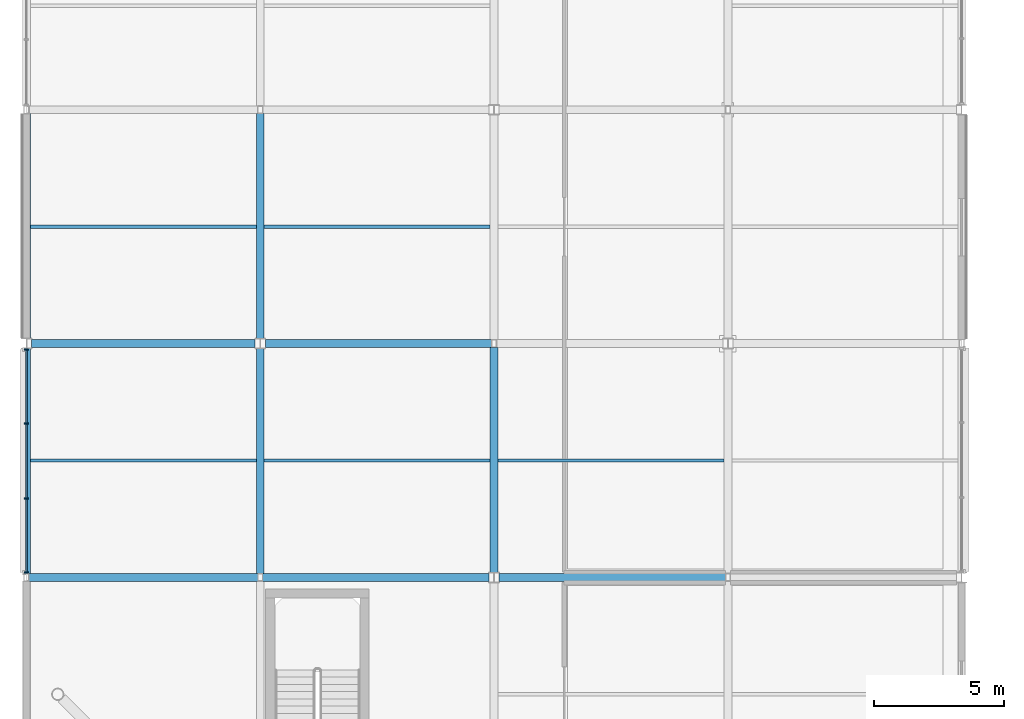
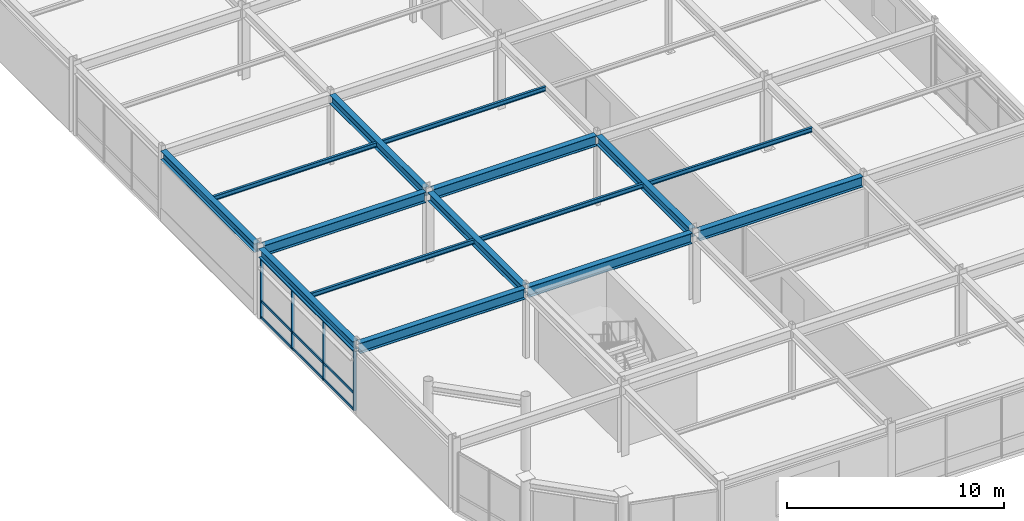
# One storey, part 23 of 105: 15 beams, 13 members, 1 element without a shape of its own.
"""IFC4 building model written with IfcOpenShell, lengths in metres."""

from ifc_helpers import new_model, si_unit, direction, frame, origin, origin_2d, place, context, subcontext, project, spatial, rectangle, i_section, extrude, material, material_profile, profile_set, type_object, element, aggregate, save


model = new_model("IFC4")

# Units and contexts
model_context = context("Model", 3, precision=1e-05, world=origin(), true_north=direction((0.0, 1.0)))
body_context = subcontext(model_context, "Body", "Model", "MODEL_VIEW")
ifc_project = project(units=[si_unit("LENGTHUNIT", "METRE"), si_unit("AREAUNIT", "SQUARE_METRE"), si_unit("VOLUMEUNIT", "CUBIC_METRE"), si_unit("PLANEANGLEUNIT", "RADIAN"), si_unit("MASSUNIT", "GRAM", prefix="KILO")], contexts=[model_context])

# Site, building, storey
site_placement = place(None, origin())
site = spatial("IfcSite", under=ifc_project, at=site_placement, CompositionType="ELEMENT")
building_placement = place(site_placement, origin())
building = spatial("IfcBuilding", under=site, at=building_placement, Name="Suzunagisa Mobility Hub", CompositionType="ELEMENT")
storey_placement = place(building_placement, frame((0.0, 0.0, 5.10009765625)))
storey = spatial("IfcBuildingStorey", under=building, at=storey_placement, Name="L01", CompositionType="ELEMENT", Elevation=5.10009765625)

# Curtain wall, members
ifc_material_1 = material(Name="Thermally Broken Anodized Aluminum and Low-E Glazing", Category="aluminium")
curtain_wall_type = type_object("IfcCurtainWallType", Name="Unitised Curtain Wall CW-45 8750x3400", PredefinedType="USERDEFINED", material=ifc_material_1)
curtain_wall_placement = place(storey_placement, origin())
curtain_wall = element("IfcCurtainWall", 1, at=curtain_wall_placement, inside=storey, type_object=curtain_wall_type, Name="L01 Unitised Curtain Wall CW-21", ObjectType="UNITISED CURTAIN WALL", PredefinedType="USERDEFINED")
ifc_material_2 = material(Name="Anodized Aluminum 6063-T6", Category="aluminium")
ifc_material_profile_1 = material_profile(ifc_material_2, rectangle(XDim=0.06494140625, YDim=0.139892578125, at=origin_2d()), Name="TRAN-65x140")
ifc_profile_set_1 = profile_set([ifc_material_profile_1], Name="Anodized Aluminum 6063-T6")
member_type_1 = type_object("IfcMemberType", Name="Curtain Wall Framing CM-01 TRAN-65x140", PredefinedType="USERDEFINED", material=ifc_profile_set_1)
member_1_placement = place(storey_placement, frame((0.0, 26.741943359375, 0.032470703125), z_axis=(0.0, -1.0, 0.0), x_axis=(1.0, 0.0, 0.0)))
member_1 = element("IfcMember", 2, at=member_1_placement, type_object=member_type_1, Name="Curtain Wall Transom 21-T1.1", ObjectType="TRANSOM", PredefinedType="USERDEFINED", context=body_context, shape_type="SweptSolid", body=[
    extrude(rectangle(XDim=0.06494140625, YDim=0.139892578125, at=origin_2d()), origin(), (0.0, 0.0, 1.0), 2.79736328125),
])
member_2_placement = place(storey_placement, frame((0.0, 26.741943359375, 0.949951171875), z_axis=(0.0, -1.0, 0.0), x_axis=(1.0, 0.0, 0.0)))
member_2 = element("IfcMember", 3, at=member_2_placement, type_object=member_type_1, Name="Curtain Wall Transom 21-T1.2", ObjectType="TRANSOM", PredefinedType="USERDEFINED", context=body_context, shape_type="SweptSolid", body=[
    extrude(rectangle(XDim=0.06494140625, YDim=0.139892578125, at=origin_2d()), origin(), (0.0, 0.0, 1.0), 2.79736328125),
])
member_3_placement = place(storey_placement, frame((0.0, 26.741943359375, 3.3193359375), z_axis=(0.0, -1.0, 0.0), x_axis=(1.0, 0.0, 0.0)))
member_3 = element("IfcMember", 4, at=member_3_placement, type_object=member_type_1, Name="Curtain Wall Transom 21-T1.3", ObjectType="TRANSOM", PredefinedType="USERDEFINED", context=body_context, shape_type="SweptSolid", body=[
    extrude(rectangle(XDim=0.06494140625, YDim=0.139892578125, at=origin_2d()), origin(), (0.0, 0.0, 1.0), 2.79736328125),
])
member_4_placement = place(storey_placement, frame((0.0, 23.888671875, 0.032470703125), z_axis=(0.0, -1.0, 0.0), x_axis=(1.0, 0.0, 0.0)))
member_4 = element("IfcMember", 5, at=member_4_placement, type_object=member_type_1, Name="Curtain Wall Transom 21-T2.1", ObjectType="TRANSOM", PredefinedType="USERDEFINED", context=body_context, shape_type="SweptSolid", body=[
    extrude(rectangle(XDim=0.06494140625, YDim=0.139892578125, at=origin_2d()), origin(), (0.0, 0.0, 1.0), 2.827392578125),
])
member_5_placement = place(storey_placement, frame((0.0, 23.888671875, 0.949951171875), z_axis=(0.0, -1.0, 0.0), x_axis=(1.0, 0.0, 0.0)))
member_5 = element("IfcMember", 6, at=member_5_placement, type_object=member_type_1, Name="Curtain Wall Transom 21-T2.2", ObjectType="TRANSOM", PredefinedType="USERDEFINED", context=body_context, shape_type="SweptSolid", body=[
    extrude(rectangle(XDim=0.06494140625, YDim=0.139892578125, at=origin_2d()), origin(), (0.0, 0.0, 1.0), 2.827392578125),
])
member_6_placement = place(storey_placement, frame((0.0, 23.888671875, 3.3193359375), z_axis=(0.0, -1.0, 0.0), x_axis=(1.0, 0.0, 0.0)))
member_6 = element("IfcMember", 7, at=member_6_placement, type_object=member_type_1, Name="Curtain Wall Transom 21-T2.3", ObjectType="TRANSOM", PredefinedType="USERDEFINED", context=body_context, shape_type="SweptSolid", body=[
    extrude(rectangle(XDim=0.06494140625, YDim=0.139892578125, at=origin_2d()), origin(), (0.0, 0.0, 1.0), 2.827392578125),
])
member_7_placement = place(storey_placement, frame((0.0, 21.00537109375, 0.032470703125), z_axis=(0.0, -1.0, 0.0), x_axis=(1.0, 0.0, 0.0)))
member_7 = element("IfcMember", 8, at=member_7_placement, type_object=member_type_1, Name="Curtain Wall Transom 21-T3.1", ObjectType="TRANSOM", PredefinedType="USERDEFINED", context=body_context, shape_type="SweptSolid", body=[
    extrude(rectangle(XDim=0.06494140625, YDim=0.139892578125, at=origin_2d()), origin(), (0.0, 0.0, 1.0), 2.79736328125),
])
member_8_placement = place(storey_placement, frame((0.0, 21.00537109375, 0.949951171875), z_axis=(0.0, -1.0, 0.0), x_axis=(1.0, 0.0, 0.0)))
member_8 = element("IfcMember", 9, at=member_8_placement, type_object=member_type_1, Name="Curtain Wall Transom 21-T3.2", ObjectType="TRANSOM", PredefinedType="USERDEFINED", context=body_context, shape_type="SweptSolid", body=[
    extrude(rectangle(XDim=0.06494140625, YDim=0.139892578125, at=origin_2d()), origin(), (0.0, 0.0, 1.0), 2.79736328125),
])
member_9_placement = place(storey_placement, frame((0.0, 21.00537109375, 3.3193359375), z_axis=(0.0, -1.0, 0.0), x_axis=(1.0, 0.0, 0.0)))
member_9 = element("IfcMember", 10, at=member_9_placement, type_object=member_type_1, Name="Curtain Wall Transom 21-T3.3", ObjectType="TRANSOM", PredefinedType="USERDEFINED", context=body_context, shape_type="SweptSolid", body=[
    extrude(rectangle(XDim=0.06494140625, YDim=0.139892578125, at=origin_2d()), origin(), (0.0, 0.0, 1.0), 2.79736328125),
])
ifc_material_profile_2 = material_profile(ifc_material_2, rectangle(XDim=0.06005859375, YDim=0.14990234375, at=origin_2d()), Name="MULL-60x150")
ifc_profile_set_2 = profile_set([ifc_material_profile_2], Name="Anodized Aluminum 6063-T6")
member_type_2 = type_object("IfcMemberType", Name="Curtain Wall Framing CM-03 MULL-60x150", PredefinedType="MULLION", material=ifc_profile_set_2)
member_10_placement = place(storey_placement, frame((0.0, 26.77001953125, 0.0), z_axis=(0.0, 0.0, 1.0), x_axis=(0.0, -1.0, 0.0)))
member_10 = element("IfcMember", 11, at=member_10_placement, type_object=member_type_2, Name="Curtain Wall Mullion 21-M1", PredefinedType="MULLION", context=body_context, shape_type="SweptSolid", body=[
    extrude(rectangle(XDim=0.06005859375, YDim=0.14990234375, at=origin_2d()), origin(), (0.0, 0.0, 1.0), 3.351806640625),
])
member_11_placement = place(storey_placement, frame((0.0, 23.916748046875, 0.0), z_axis=(0.0, 0.0, 1.0), x_axis=(0.0, -1.0, 0.0)))
member_11 = element("IfcMember", 12, at=member_11_placement, type_object=member_type_2, Name="Curtain Wall Mullion 21-M2", PredefinedType="MULLION", context=body_context, shape_type="SweptSolid", body=[
    extrude(rectangle(XDim=0.06005859375, YDim=0.14990234375, at=origin_2d()), origin(), (0.0, 0.0, 1.0), 3.351806640625),
])
member_12_placement = place(storey_placement, frame((0.0, 21.033203125, 0.0), z_axis=(0.0, 0.0, 1.0), x_axis=(0.0, -1.0, 0.0)))
member_12 = element("IfcMember", 13, at=member_12_placement, type_object=member_type_2, Name="Curtain Wall Mullion 21-M3", PredefinedType="MULLION", context=body_context, shape_type="SweptSolid", body=[
    extrude(rectangle(XDim=0.06005859375, YDim=0.14990234375, at=origin_2d()), origin(), (0.0, 0.0, 1.0), 3.351806640625),
])
member_13_placement = place(storey_placement, frame((0.0, 18.179931640625, 0.0), z_axis=(0.0, 0.0, 1.0), x_axis=(0.0, -1.0, 0.0)))
member_13 = element("IfcMember", 14, at=member_13_placement, type_object=member_type_2, Name="Curtain Wall Mullion 21-M4", PredefinedType="MULLION", context=body_context, shape_type="SweptSolid", body=[
    extrude(rectangle(XDim=0.06005859375, YDim=0.14990234375, at=origin_2d()), origin(), (0.0, 0.0, 1.0), 3.351806640625),
])
aggregate(curtain_wall, [member_10, member_11, member_12, member_13, member_1, member_2, member_3, member_4, member_5, member_6, member_7, member_8, member_9])

# Beams
ifc_material_3 = material(Name="Steel SN490B", Category="steel")
ifc_material_profile_3 = material_profile(ifc_material_3, i_section(OverallWidth=0.300048828125, OverallDepth=0.488037109375, WebThickness=0.010986328125, FlangeThickness=0.01806640625, FilletRadius=0.012939453125, at=origin_2d()), Name="H-488x300x11x18")
ifc_profile_set_3 = profile_set([ifc_material_profile_3], Name="Steel SN490B")
beam_type_1 = type_object("IfcBeamType", Name="Steel Beam BM-06 H-488x300x11x18", PredefinedType="BEAM", material=ifc_profile_set_3)
for number, where, z_axis, x_axis, name in (
    (15, (0.0, 18.14599609375, 3.69580078125), (0.0, 1.0, 0.0), (-1.0, 0.0, 0.0), "L01 Primary Girder GY-208"),
    (16, (0.0, 27.196044921875, 3.7158203125), (0.0, 1.0, 0.0), (-1.0, 0.0, 0.0), "L01 Primary Girder GY-209"),
    (17, (9.0, 18.14599609375, 3.7158203125), (0.0, 1.0, 0.0), (-1.0, 0.0, 0.0), "L01 Primary Girder GY-214"),
    (18, (9.0, 27.196044921875, 3.7158203125), (0.0, 1.0, 0.0), (-1.0, 0.0, 0.0), "L01 Primary Girder GY-215"),
    (19, (18.0, 18.196044921875, 3.7158203125), (0.0, 1.0, 0.0), (-1.0, 0.0, 0.0), "L01 Primary Girder GY-220"),
):
    element("IfcBeam", number, at=place(storey_placement, frame(where, z_axis=z_axis, x_axis=x_axis)), inside=storey, type_object=beam_type_1, Name=name, PredefinedType="BEAM", context=body_context, shape_type="SweptSolid", body=[
        extrude(i_section(OverallWidth=0.300048828125, OverallDepth=0.488037109375, WebThickness=0.010986328125, FlangeThickness=0.01806640625, FilletRadius=0.012939453125, at=origin_2d()), origin(), (0.0, 0.0, 1.0), 8.657958984375),
    ])
ifc_material_profile_4 = material_profile(ifc_material_3, i_section(OverallWidth=0.300048828125, OverallDepth=0.587890625, WebThickness=0.011962890625, FlangeThickness=0.02001953125, FilletRadius=0.012939453125, at=origin_2d()), Name="H-588x300x12x20")
ifc_profile_set_4 = profile_set([ifc_material_profile_4], Name="Steel SN490B")
beam_type_2 = type_object("IfcBeamType", Name="Steel Beam BM-16 H-588x300x12x20", PredefinedType="BEAM", material=ifc_profile_set_4)
beam_1_placement = place(storey_placement, frame((0.095947265625, 18.0, 3.64599609375), z_axis=(1.0, 0.0, 0.0), x_axis=(0.0, 1.0, 0.0)))
element("IfcBeam", 20, at=beam_1_placement, inside=storey, type_object=beam_type_2, Name="L01 Primary Girder GX-184", PredefinedType="BEAM", context=body_context, shape_type="SweptSolid", body=[
    extrude(i_section(OverallWidth=0.300048828125, OverallDepth=0.587890625, WebThickness=0.011962890625, FlangeThickness=0.02001953125, FilletRadius=0.012939453125, at=origin_2d()), origin(), (0.0, 0.0, 1.0), 8.80810546875),
])
for number, where, z_axis, x_axis, name in (
    (21, (9.095947265625, 18.0, 3.666015625), (1.0, 0.0, 0.0), (0.0, 1.0, 0.0), "L01 Primary Girder GX-185"),
    (22, (18.196044921875, 18.0, 3.666015625), (1.0, 0.0, 0.0), (0.0, 1.0, 0.0), "L01 Primary Girder GX-186"),
):
    element("IfcBeam", number, at=place(storey_placement, frame(where, z_axis=z_axis, x_axis=x_axis)), inside=storey, type_object=beam_type_2, Name=name, PredefinedType="BEAM", context=body_context, shape_type="SweptSolid", body=[
        extrude(i_section(OverallWidth=0.300048828125, OverallDepth=0.587890625, WebThickness=0.011962890625, FlangeThickness=0.02001953125, FilletRadius=0.012939453125, at=origin_2d()), origin(), (0.0, 0.0, 1.0), 8.7080078125),
    ])
beam_2_placement = place(storey_placement, frame((0.196044921875, 27.0, 3.666015625), z_axis=(1.0, 0.0, 0.0), x_axis=(0.0, 1.0, 0.0)))
element("IfcBeam", 23, at=beam_2_placement, inside=storey, type_object=beam_type_2, Name="L01 Primary Girder GX-188", PredefinedType="BEAM", context=body_context, shape_type="SweptSolid", body=[
    extrude(i_section(OverallWidth=0.300048828125, OverallDepth=0.587890625, WebThickness=0.011962890625, FlangeThickness=0.02001953125, FilletRadius=0.012939453125, at=origin_2d()), origin(), (0.0, 0.0, 1.0), 8.60791015625),
])
beam_3_placement = place(storey_placement, frame((9.196044921875, 27.0, 3.666015625), z_axis=(1.0, 0.0, 0.0), x_axis=(0.0, 1.0, 0.0)))
element("IfcBeam", 24, at=beam_3_placement, inside=storey, type_object=beam_type_2, Name="L01 Primary Girder GX-189", PredefinedType="BEAM", context=body_context, shape_type="SweptSolid", body=[
    extrude(i_section(OverallWidth=0.300048828125, OverallDepth=0.587890625, WebThickness=0.011962890625, FlangeThickness=0.02001953125, FilletRadius=0.012939453125, at=origin_2d()), origin(), (0.0, 0.0, 1.0), 8.7080078125),
])
ifc_material_4 = material(Name="Steel SN400B", Category="steel")
ifc_material_profile_5 = material_profile(ifc_material_4, i_section(OverallWidth=0.125, OverallDepth=0.25, WebThickness=0.006103515625, FlangeThickness=0.009033203125, FilletRadius=0.008056640625, at=origin_2d()), Name="H-250x125x6x9")
ifc_profile_set_5 = profile_set([ifc_material_profile_5], Name="Steel SN400B")
beam_type_3 = type_object("IfcBeamType", Name="Steel Beam BM-21 H-250x125x6x9", PredefinedType="JOIST", material=ifc_profile_set_5)
for number, where, z_axis, x_axis, name in (
    (25, (0.14990234375, 22.5, 3.8349609375), (1.0, 0.0, 0.0), (0.0, 1.0, 0.0), "L01 Composite Floor Joist J-238"),
    (26, (0.14990234375, 31.5, 3.8349609375), (1.0, 0.0, 0.0), (0.0, 1.0, 0.0), "L01 Composite Floor Joist J-239"),
    (27, (9.14990234375, 22.5, 3.8349609375), (1.0, 0.0, 0.0), (0.0, 1.0, 0.0), "L01 Composite Floor Joist J-243"),
    (28, (9.14990234375, 31.5, 3.8349609375), (1.0, 0.0, 0.0), (0.0, 1.0, 0.0), "L01 Composite Floor Joist J-244"),
    (29, (18.14990234375, 22.5, 3.8349609375), (1.0, 0.0, 0.0), (0.0, 1.0, 0.0), "L01 Composite Floor Joist J-248"),
):
    element("IfcBeam", number, at=place(storey_placement, frame(where, z_axis=z_axis, x_axis=x_axis)), inside=storey, type_object=beam_type_3, Name=name, PredefinedType="JOIST", context=body_context, shape_type="SweptSolid", body=[
        extrude(i_section(OverallWidth=0.125, OverallDepth=0.25, WebThickness=0.006103515625, FlangeThickness=0.009033203125, FilletRadius=0.008056640625, at=origin_2d()), origin(), (0.0, 0.0, 1.0), 8.7001953125),
    ])

save(model, "model.ifc")
